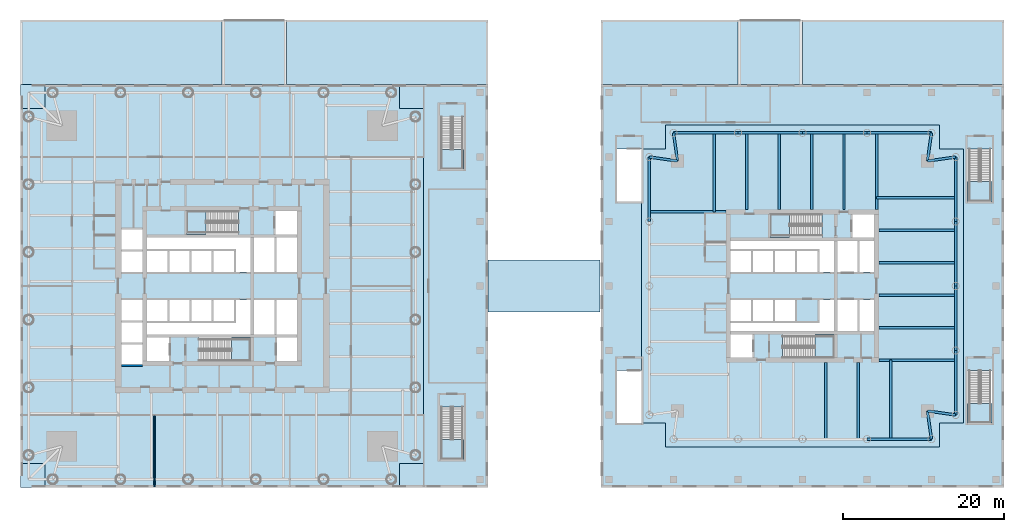
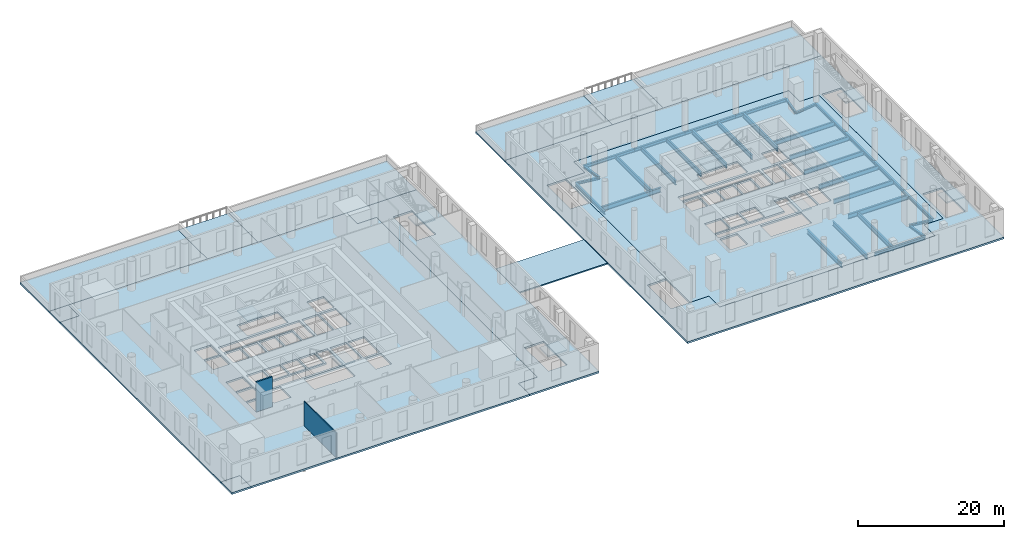
# One storey, part 4 of 16: 32 beams, 21 slabs, 2 walls, 8 elements without a shape of their own.
"""IFC4 building model written with IfcOpenShell, lengths in metres."""

from ifc_helpers import new_model, si_unit, direction, frame, frame_2d, origin, origin_2d, place, context, subcontext, project, spatial, polyline, rectangle, i_section, outline, extrude, material, layer, layer_set, material_profile, profile_set, type_object, element, aggregate, save


model = new_model("IFC4")

# Units and contexts
model_context = context("Model", 3, precision=1e-05, world=origin(), true_north=direction((0.0, 1.0)))
body_context = subcontext(model_context, "Body", "Model", "MODEL_VIEW")
ifc_project = project(units=[si_unit("LENGTHUNIT", "METRE"), si_unit("AREAUNIT", "SQUARE_METRE"), si_unit("VOLUMEUNIT", "CUBIC_METRE"), si_unit("PLANEANGLEUNIT", "RADIAN"), si_unit("MASSUNIT", "GRAM", prefix="KILO")], contexts=[model_context])

# Site, building, storey
site_placement = place(None, origin())
site = spatial("IfcSite", under=ifc_project, at=site_placement, CompositionType="ELEMENT")
building_placement = place(site_placement, origin())
building = spatial("IfcBuilding", under=site, at=building_placement, Name="Ostroluk Exchange", CompositionType="ELEMENT")
storey_placement = place(building_placement, frame((0.0, 0.0, 16.0)))
storey = spatial("IfcBuildingStorey", under=building, at=storey_placement, Name="L03", CompositionType="ELEMENT", Elevation=16.0)

# Beams
ifc_material_1 = material(Name="Steel S355", Category="steel")
ifc_material_profile_1 = material_profile(ifc_material_1, i_section(OverallWidth=0.300048828125, OverallDepth=0.39990234375, WebThickness=0.013427734375, FlangeThickness=0.02392578125, FilletRadius=0.027099609375, at=origin_2d()), Name="HEB 400")
ifc_profile_set_1 = profile_set([ifc_material_profile_1], Name="Steel S355")
beam_type_1 = type_object("IfcBeamType", Name="Corner edge beam HEB 400", PredefinedType="SPANDREL", material=ifc_profile_set_1)
for number, where, z_axis, x_axis, name in (
    (1, (132.5, 61.5, -0.5), (0.989949493661, 0.141421356237, 0.0), (-0.141421356237, 0.989949493661, 0.0), "T2 east corner edge beam a"),
    (2, (132.5, 61.5, -0.5), (0.141421356237, 0.989949493661, 0.0), (-0.989949493661, 0.141421356237, 0.0), "T2 east corner edge beam b"),
    (3, (101.5, 61.5, -0.5), (-0.141421356237, 0.989949493661, 0.0), (-0.989949493661, -0.141421356237, 0.0), "T2 north corner edge beam a"),
    (4, (101.5, 61.5, -0.5), (-0.989949493661, 0.141421356237, 0.0), (-0.141421356237, -0.989949493661, 0.0), "T2 north corner edge beam b"),
    (5, (132.5, 30.5, -0.5), (0.141421356237, -0.989949493661, 0.0), (0.989949493661, 0.141421356237, 0.0), "T2 south corner edge beam a"),
    (6, (132.5, 30.5, -0.5), (0.989949493661, -0.141421356237, 0.0), (0.141421356237, 0.989949493661, 0.0), "T2 south corner edge beam b"),
):
    element("IfcBeam", number, at=place(storey_placement, frame(where, z_axis=z_axis, x_axis=x_axis)), inside=storey, type_object=beam_type_1, Name=name, PredefinedType="SPANDREL", context=body_context, shape_type="SweptSolid", body=[
        extrude(i_section(OverallWidth=0.300048828125, OverallDepth=0.39990234375, WebThickness=0.013427734375, FlangeThickness=0.02392578125, FilletRadius=0.027099609375, at=origin_2d()), origin(), (0.0, 0.0, 1.0), 3.53564453125),
    ])
ifc_material_2 = material(Name="Steel S355", Category="steel")
ifc_material_profile_2 = material_profile(ifc_material_2, i_section(OverallWidth=0.264892578125, OverallDepth=0.7529296875, WebThickness=0.01318359375, FlangeThickness=0.01708984375, FilletRadius=0.01708984375, at=origin_2d()), Name="IPE 750x147")
ifc_profile_set_2 = profile_set([ifc_material_profile_2], Name="Steel S355")
beam_type_2 = type_object("IfcBeamType", Name="Floor beam IPE 750x147", PredefinedType="BEAM", material=ifc_profile_set_2)
for number, where, z_axis, x_axis, name in (
    (7, (126.5, 40.82861328125, -0.676513671875), (1.0, 0.0, 0.0), (0.0, 1.0, 0.0), "T2 east floor beam 1"),
    (8, (126.5, 44.857177734375, -0.676513671875), (1.0, 0.0, 0.0), (0.0, 1.0, 0.0), "T2 east floor beam 2"),
    (9, (126.5, 48.8857421875, -0.676513671875), (1.0, 0.0, 0.0), (0.0, 1.0, 0.0), "T2 east floor beam 3"),
    (10, (126.5, 52.914306640625, -0.676513671875), (1.0, 0.0, 0.0), (0.0, 1.0, 0.0), "T2 east floor beam 4"),
):
    element("IfcBeam", number, at=place(storey_placement, frame(where, z_axis=z_axis, x_axis=x_axis)), inside=storey, type_object=beam_type_2, Name=name, PredefinedType="BEAM", context=body_context, shape_type="SweptSolid", body=[
        extrude(i_section(OverallWidth=0.264892578125, OverallDepth=0.7529296875, WebThickness=0.01318359375, FlangeThickness=0.01708984375, FilletRadius=0.01708984375, at=origin_2d()), origin(), (0.0, 0.0, 1.0), 9.5),
    ])
beam_1_placement = place(storey_placement, frame((126.199951171875, 56.94287109375, -0.676513671875), z_axis=(1.0, 0.0, 0.0), x_axis=(0.0, 1.0, 0.0)))
element("IfcBeam", 11, at=beam_1_placement, inside=storey, type_object=beam_type_2, Name="T2 east floor beam 5", PredefinedType="BEAM", context=body_context, shape_type="SweptSolid", body=[
    extrude(i_section(OverallWidth=0.264892578125, OverallDepth=0.7529296875, WebThickness=0.01318359375, FlangeThickness=0.01708984375, FilletRadius=0.01708984375, at=origin_2d()), origin(), (0.0, 0.0, 1.0), 9.800048828125),
])
for number, where, z_axis, x_axis, name in (
    (12, (122.17138671875, 55.5, -0.676513671875), (0.0, 1.0, 0.0), (-1.0, 0.0, 0.0), "T2 north floor beam 1"),
    (13, (118.142822265625, 55.5, -0.676513671875), (0.0, 1.0, 0.0), (-1.0, 0.0, 0.0), "T2 north floor beam 2"),
    (14, (114.1142578125, 55.5, -0.676513671875), (0.0, 1.0, 0.0), (-1.0, 0.0, 0.0), "T2 north floor beam 3"),
    (15, (110.085693359375, 55.5, -0.676513671875), (0.0, 1.0, 0.0), (-1.0, 0.0, 0.0), "T2 north floor beam 4"),
):
    element("IfcBeam", number, at=place(storey_placement, frame(where, z_axis=z_axis, x_axis=x_axis)), inside=storey, type_object=beam_type_2, Name=name, PredefinedType="BEAM", context=body_context, shape_type="SweptSolid", body=[
        extrude(i_section(OverallWidth=0.264892578125, OverallDepth=0.7529296875, WebThickness=0.01318359375, FlangeThickness=0.01708984375, FilletRadius=0.01708984375, at=origin_2d()), origin(), (0.0, 0.0, 1.0), 9.5),
    ])
beam_2_placement = place(storey_placement, frame((106.05712890625, 55.199951171875, -0.676513671875), z_axis=(0.0, 1.0, 0.0), x_axis=(-1.0, 0.0, 0.0)))
element("IfcBeam", 16, at=beam_2_placement, inside=storey, type_object=beam_type_2, Name="T2 north floor beam 5", PredefinedType="BEAM", context=body_context, shape_type="SweptSolid", body=[
    extrude(i_section(OverallWidth=0.264892578125, OverallDepth=0.7529296875, WebThickness=0.01318359375, FlangeThickness=0.01708984375, FilletRadius=0.01708984375, at=origin_2d()), origin(), (0.0, 0.0, 1.0), 9.800048828125),
])
for number, where, z_axis, x_axis, name in (
    (17, (119.8857421875, 36.5, -0.676513671875), (0.0, -1.0, 0.0), (1.0, 0.0, 0.0), "T2 south floor beam 3"),
    (18, (123.914306640625, 36.5, -0.676513671875), (0.0, -1.0, 0.0), (1.0, 0.0, 0.0), "T2 south floor beam 4"),
):
    element("IfcBeam", number, at=place(storey_placement, frame(where, z_axis=z_axis, x_axis=x_axis)), inside=storey, type_object=beam_type_2, Name=name, PredefinedType="BEAM", context=body_context, shape_type="SweptSolid", body=[
        extrude(i_section(OverallWidth=0.264892578125, OverallDepth=0.7529296875, WebThickness=0.01318359375, FlangeThickness=0.01708984375, FilletRadius=0.01708984375, at=origin_2d()), origin(), (0.0, 0.0, 1.0), 9.5),
    ])
beam_3_placement = place(storey_placement, frame((127.94287109375, 36.800048828125, -0.676513671875), z_axis=(0.0, -1.0, 0.0), x_axis=(1.0, 0.0, 0.0)))
element("IfcBeam", 19, at=beam_3_placement, inside=storey, type_object=beam_type_2, Name="T2 south floor beam 5", PredefinedType="BEAM", context=body_context, shape_type="SweptSolid", body=[
    extrude(i_section(OverallWidth=0.264892578125, OverallDepth=0.7529296875, WebThickness=0.01318359375, FlangeThickness=0.01708984375, FilletRadius=0.01708984375, at=origin_2d()), origin(), (0.0, 0.0, 1.0), 9.800048828125),
])
ifc_material_3 = material(Name="Steel S355", Category="steel")
ifc_material_profile_3 = material_profile(ifc_material_3, i_section(OverallWidth=0.300048828125, OverallDepth=0.800048828125, WebThickness=0.017578125, FlangeThickness=0.032958984375, FilletRadius=0.030029296875, at=origin_2d()), Name="HEB 800")
ifc_profile_set_3 = profile_set([ifc_material_profile_3], Name="Steel S355")
beam_type_3 = type_object("IfcBeamType", Name="Girder HEB 800", PredefinedType="BEAM", material=ifc_profile_set_3)
for number, where, z_axis, x_axis, name in (
    (20, (126.199951171875, 55.5, -0.699951171875), (0.0, 1.0, 0.0), (-1.0, 0.0, 0.0), "T2 east girder"),
    (21, (107.5, 55.199951171875, -0.699951171875), (-1.0, 0.0, 0.0), (0.0, -1.0, 0.0), "T2 north girder"),
    (22, (126.5, 36.800048828125, -0.699951171875), (1.0, 0.0, 0.0), (0.0, 1.0, 0.0), "T2 south girder"),
):
    element("IfcBeam", number, at=place(storey_placement, frame(where, z_axis=z_axis, x_axis=x_axis)), inside=storey, type_object=beam_type_3, Name=name, PredefinedType="BEAM", context=body_context, shape_type="SweptSolid", body=[
        extrude(i_section(OverallWidth=0.300048828125, OverallDepth=0.800048828125, WebThickness=0.017578125, FlangeThickness=0.032958984375, FilletRadius=0.030029296875, at=origin_2d()), origin(), (0.0, 0.0, 1.0), 9.5),
    ])
ifc_material_4 = material(Name="Steel S355", Category="steel")
ifc_material_profile_4 = material_profile(ifc_material_4, i_section(OverallWidth=0.300048828125, OverallDepth=0.550048828125, WebThickness=0.014892578125, FlangeThickness=0.029052734375, FilletRadius=0.027099609375, at=origin_2d()), Name="HEB 550")
ifc_profile_set_4 = profile_set([ifc_material_profile_4], Name="Steel S355")
beam_type_4 = type_object("IfcBeamType", Name="Moment-connected edge beam HEB 550", PredefinedType="SPANDREL", material=ifc_profile_set_4)
for number, where, z_axis, x_axis, name in (
    (23, (136.0, 30.0, -0.574951171875), (0.0, 1.0, 0.0), (-1.0, 0.0, 0.0), "T2 east edge beam 1"),
    (24, (136.0, 38.0, -0.574951171875), (0.0, 1.0, 0.0), (-1.0, 0.0, 0.0), "T2 east edge beam 2"),
    (25, (136.0, 46.0, -0.574951171875), (0.0, 1.0, 0.0), (-1.0, 0.0, 0.0), "T2 east edge beam 3"),
    (26, (136.0, 54.0, -0.574951171875), (0.0, 1.0, 0.0), (-1.0, 0.0, 0.0), "T2 east edge beam 4"),
    (27, (133.0, 65.0, -0.574951171875), (-1.0, 0.0, 0.0), (0.0, -1.0, 0.0), "T2 north edge beam 1"),
    (28, (125.0, 65.0, -0.574951171875), (-1.0, 0.0, 0.0), (0.0, -1.0, 0.0), "T2 north edge beam 2"),
    (29, (117.0, 65.0, -0.574951171875), (-1.0, 0.0, 0.0), (0.0, -1.0, 0.0), "T2 north edge beam 3"),
    (30, (109.0, 65.0, -0.574951171875), (-1.0, 0.0, 0.0), (0.0, -1.0, 0.0), "T2 north edge beam 4"),
    (31, (98.0, 62.0, -0.574951171875), (0.0, -1.0, 0.0), (1.0, 0.0, 0.0), "T2 west edge beam 1"),
    (32, (125.0, 27.0, -0.574951171875), (1.0, 0.0, 0.0), (0.0, 1.0, 0.0), "T2 south edge beam 4"),
):
    element("IfcBeam", number, at=place(storey_placement, frame(where, z_axis=z_axis, x_axis=x_axis)), inside=storey, type_object=beam_type_4, Name=name, PredefinedType="SPANDREL", context=body_context, shape_type="SweptSolid", body=[
        extrude(i_section(OverallWidth=0.300048828125, OverallDepth=0.550048828125, WebThickness=0.014892578125, FlangeThickness=0.029052734375, FilletRadius=0.027099609375, at=origin_2d()), origin(), (0.0, 0.0, 1.0), 8.0),
    ])

# Slabs
ifc_material_5 = material(Name="Concrete C30/37", Category="concrete")
ifc_layer_1 = layer(ifc_material_5, 0.199951171875)
ifc_layer_set_1 = layer_set([ifc_layer_1], Name="Bridge roof slab 200")
slab_type_1 = type_object("IfcSlabType", Name="Bridge roof slab 200", PredefinedType="ROOF", material=ifc_layer_set_1)
slab_1_placement = place(storey_placement, frame((0.0, 0.0, -0.199951171875)))
element("IfcSlab", 33, at=slab_1_placement, inside=storey, type_object=slab_type_1, Name="Podium bridge roof", PredefinedType="ROOF", context=body_context, shape_type="SweptSolid", body=[
    extrude(outline(polyline([(78.0, 42.75), (91.89990234375, 42.75), (91.89990234375, 49.25), (78.0, 49.25), (78.0, 42.75)])), origin(), (0.0, 0.0, 1.0), 0.199951171875),
])
ifc_material_6 = material(Name="Concrete C35/45", Category="concrete")
ifc_layer_2 = layer(ifc_material_6, 0.300048828125)
ifc_layer_set_2 = layer_set([ifc_layer_2], Name="Extensive green roof slab 300")
slab_type_2 = type_object("IfcSlabType", Name="Extensive green roof slab 300", PredefinedType="ROOF", material=ifc_layer_set_2)
slab_2_placement = place(storey_placement, frame((0.0, 0.0, -0.300048828125)))
element("IfcSlab", 34, at=slab_2_placement, inside=storey, type_object=slab_type_2, Name="Green roof slab L03 west", PredefinedType="ROOF", context=body_context, shape_type="SweptSolid", body=[
    extrude(outline(polyline([(20.0, 71.0), (20.0, 79.0), (45.0, 79.0), (45.0, 71.0), (20.0, 71.0)])), origin(), (0.0, 0.0, 1.0), 0.300048828125),
])
slab_3_placement = place(storey_placement, frame((0.0, 0.0, -0.300048828125)))
element("IfcSlab", 35, at=slab_3_placement, inside=storey, type_object=slab_type_2, Name="Green roof slab L03 west", PredefinedType="ROOF", context=body_context, shape_type="SweptSolid", body=[
    extrude(outline(polyline([(78.0, 79.0), (78.0, 71.0), (53.0, 71.0), (53.0, 79.0), (78.0, 79.0)])), origin(), (0.0, 0.0, 1.0), 0.300048828125),
])
slab_4_placement = place(storey_placement, frame((0.0, 0.0, -0.300048828125)))
element("IfcSlab", 36, at=slab_4_placement, inside=storey, type_object=slab_type_2, Name="Green roof slab L03 east", PredefinedType="ROOF", context=body_context, shape_type="SweptSolid", body=[
    extrude(outline(polyline([(109.0, 79.0), (109.0, 71.0), (92.0, 71.0), (92.0, 79.0), (109.0, 79.0)])), origin(), (0.0, 0.0, 1.0), 0.300048828125),
])
slab_5_placement = place(storey_placement, frame((0.0, 0.0, -0.300048828125)))
element("IfcSlab", 37, at=slab_5_placement, inside=storey, type_object=slab_type_2, Name="Green roof slab L03 east", PredefinedType="ROOF", context=body_context, shape_type="SweptSolid", body=[
    extrude(outline(polyline([(142.0, 79.0), (142.0, 71.0), (117.0, 71.0), (117.0, 79.0), (142.0, 79.0)])), origin(), (0.0, 0.0, 1.0), 0.300048828125),
])
ifc_material_7 = material(Name="Concrete C35/45", Category="concrete")
ifc_layer_3 = layer(ifc_material_7, 0.300048828125)
ifc_layer_set_3 = layer_set([ifc_layer_3], Name="Podium flat slab 300")
slab_type_3 = type_object("IfcSlabType", Name="Podium flat slab 300", PredefinedType="FLOOR", material=ifc_layer_set_3)
slab_6_placement = place(storey_placement, frame((0.0, 0.0, -0.300048828125)))
element("IfcSlab", 38, at=slab_6_placement, inside=storey, type_object=slab_type_3, Name="Podium slab L03 west", PredefinedType="FLOOR", context=body_context, shape_type="SweptSolid", body=[
    extrude(outline(polyline([(67.0, 71.0), (78.0, 71.0), (78.0, 21.0), (67.0, 21.0), (67.0, 24.0), (70.0, 24.0), (70.0, 68.0), (67.0, 68.0), (67.0, 71.0)]), holes=[polyline([(72.0, 24.5), (75.0, 24.5), (75.0, 30.989990234375), (72.0, 30.989990234375), (72.0, 24.5)]), polyline([(72.0, 66.989990234375), (72.0, 60.5), (75.0, 60.5), (75.0, 66.989990234375), (72.0, 66.989990234375)])]), origin(), (0.0, 0.0, 1.0), 0.300048828125),
])
slab_7_placement = place(storey_placement, frame((0.0, 0.0, -0.300048828125)))
element("IfcSlab", 39, at=slab_7_placement, inside=storey, type_object=slab_type_3, Name="Podium slab L03 west", PredefinedType="FLOOR", context=body_context, shape_type="SweptSolid", body=[
    extrude(outline(polyline([(23.0, 68.0), (20.0, 68.0), (20.0, 71.0), (23.0, 71.0), (23.0, 68.0)])), origin(), (0.0, 0.0, 1.0), 0.300048828125),
])
slab_8_placement = place(storey_placement, frame((0.0, 0.0, -0.300048828125)))
element("IfcSlab", 40, at=slab_8_placement, inside=storey, type_object=slab_type_3, Name="Podium slab L03 west", PredefinedType="FLOOR", context=body_context, shape_type="SweptSolid", body=[
    extrude(outline(polyline([(20.0, 21.0), (20.0, 24.0), (23.0, 24.0), (23.0, 21.0), (20.0, 21.0)])), origin(), (0.0, 0.0, 1.0), 0.300048828125),
])
slab_9_placement = place(storey_placement, frame((0.0, 0.0, -0.300048828125)))
element("IfcSlab", 41, at=slab_9_placement, inside=storey, type_object=slab_type_3, Name="Podium slab L03 east", PredefinedType="FLOOR", context=body_context, shape_type="SweptSolid", body=[
    extrude(outline(polyline([(92.0, 21.0), (92.0, 71.0), (142.0, 71.0), (142.0, 21.0), (92.0, 21.0)]), holes=[polyline([(100.0, 63.0), (97.0, 63.0), (97.0, 62.989990234375), (94.0, 62.989990234375), (94.0, 56.5), (97.0, 56.5), (97.0, 35.489990234375), (94.0, 35.489990234375), (94.0, 29.0), (100.0, 29.0), (100.0, 26.0), (134.0, 26.0), (134.0, 29.0), (137.0, 29.0), (137.0, 63.0), (134.0, 63.0), (134.0, 66.0), (100.0, 66.0), (100.0, 63.0)]), polyline([(137.5, 29.0), (140.5, 29.0), (140.5, 35.489990234375), (137.5, 35.489990234375), (137.5, 29.0)]), polyline([(137.5, 62.989990234375), (137.5, 56.5), (140.5, 56.5), (140.5, 62.989990234375), (137.5, 62.989990234375)])]), origin(), (0.0, 0.0, 1.0), 0.300048828125),
])
ifc_material_8 = material(Name="Concrete C35/45", Category="concrete")
ifc_layer_4 = layer(ifc_material_8, 0.300048828125)
ifc_layer_set_4 = layer_set([ifc_layer_4], Name="Podium terrace slab 300")
slab_type_4 = type_object("IfcSlabType", Name="Podium terrace slab 300", PredefinedType="ROOF", material=ifc_layer_set_4)
slab_10_placement = place(storey_placement, frame((0.0, 0.0, -0.300048828125)))
element("IfcSlab", 42, at=slab_10_placement, inside=storey, type_object=slab_type_4, Name="Terrace slab L03 west", PredefinedType="ROOF", context=body_context, shape_type="SweptSolid", body=[
    extrude(outline(polyline([(53.0, 79.0), (53.0, 71.0), (45.0, 71.0), (45.0, 79.0), (53.0, 79.0)])), origin(), (0.0, 0.0, 1.0), 0.300048828125),
])
slab_11_placement = place(storey_placement, frame((0.0, 0.0, -0.300048828125)))
element("IfcSlab", 43, at=slab_11_placement, inside=storey, type_object=slab_type_4, Name="Terrace slab L03 east", PredefinedType="ROOF", context=body_context, shape_type="SweptSolid", body=[
    extrude(outline(polyline([(117.0, 79.0), (117.0, 71.0), (109.0, 71.0), (109.0, 79.0), (117.0, 79.0)])), origin(), (0.0, 0.0, 1.0), 0.300048828125),
])

# Stair, slab
ifc_material_9 = material(Name="Concrete C30/37", Category="concrete")
stair_type = type_object("IfcStairType", Name="Exit stair half turn 5000", PredefinedType="HALF_TURN_STAIR", material=ifc_material_9)
stair_1_placement = place(storey_placement, origin())
stair_1 = element("IfcStair", 44, at=stair_1_placement, inside=storey, type_object=stair_type, Name="Stair T1-S1 L03", PredefinedType="HALF_TURN_STAIR")
ifc_material_10 = material(Name="Concrete C30/37", Category="concrete")
ifc_layer_5 = layer(ifc_material_10, 0.199951171875)
ifc_layer_set_5 = layer_set([ifc_layer_5], Name="Stair landing 200")
slab_type_5 = type_object("IfcSlabType", Name="Stair landing 200", PredefinedType="LANDING", material=ifc_layer_set_5)
slab_12_placement = place(storey_placement, frame((0.0, 0.0, 2.300048828125)))
slab_12 = element("IfcSlab", 45, at=slab_12_placement, type_object=slab_type_5, Name="T1-S1 landing 1", PredefinedType="LANDING", context=body_context, shape_type="SweptSolid", body=[
    extrude(outline(polyline([(46.159912109375, 36.699951171875), (46.159912109375, 39.60009765625), (48.530029296875, 39.60009765625), (48.530029296875, 36.699951171875), (46.159912109375, 36.699951171875)])), origin(), (0.0, 0.0, 1.0), 0.199951171875),
])
aggregate(stair_1, [slab_12])

stair_2_placement = place(storey_placement, origin())
stair_2 = element("IfcStair", 46, at=stair_2_placement, inside=storey, type_object=stair_type, Name="Stair T1-S2 L03", PredefinedType="HALF_TURN_STAIR")
slab_13_placement = place(storey_placement, frame((0.0, 0.0, 2.300048828125)))
slab_13 = element("IfcSlab", 47, at=slab_13_placement, type_object=slab_type_5, Name="T1-S2 landing 1", PredefinedType="LANDING", context=body_context, shape_type="SweptSolid", body=[
    extrude(outline(polyline([(42.969970703125, 52.39990234375), (42.969970703125, 55.300048828125), (40.60009765625, 55.300048828125), (40.60009765625, 52.39990234375), (42.969970703125, 52.39990234375)])), origin(), (0.0, 0.0, 1.0), 0.199951171875),
])
aggregate(stair_2, [slab_13])

stair_3_placement = place(storey_placement, origin())
stair_3 = element("IfcStair", 48, at=stair_3_placement, inside=storey, type_object=stair_type, Name="Stair T2-S1 L03", PredefinedType="HALF_TURN_STAIR")
slab_14_placement = place(storey_placement, frame((0.0, 0.0, 2.300048828125)))
slab_14 = element("IfcSlab", 49, at=slab_14_placement, type_object=slab_type_5, Name="T2-S1 landing 1", PredefinedType="LANDING", context=body_context, shape_type="SweptSolid", body=[
    extrude(outline(polyline([(118.56005859375, 37.10009765625), (118.56005859375, 40.0), (120.929931640625, 40.0), (120.929931640625, 37.10009765625), (118.56005859375, 37.10009765625)])), origin(), (0.0, 0.0, 1.0), 0.199951171875),
])
aggregate(stair_3, [slab_14])

stair_4_placement = place(storey_placement, origin())
stair_4 = element("IfcStair", 50, at=stair_4_placement, inside=storey, type_object=stair_type, Name="Stair T2-S2 L03", PredefinedType="HALF_TURN_STAIR")
slab_15_placement = place(storey_placement, frame((0.0, 0.0, 2.300048828125)))
slab_15 = element("IfcSlab", 51, at=slab_15_placement, type_object=slab_type_5, Name="T2-S2 landing 1", PredefinedType="LANDING", context=body_context, shape_type="SweptSolid", body=[
    extrude(outline(polyline([(115.3701171875, 52.0), (115.3701171875, 54.89990234375), (113.0, 54.89990234375), (113.0, 52.0), (115.3701171875, 52.0)])), origin(), (0.0, 0.0, 1.0), 0.199951171875),
])
aggregate(stair_4, [slab_15])

stair_5_placement = place(storey_placement, origin())
stair_5 = element("IfcStair", 52, at=stair_5_placement, inside=storey, type_object=stair_type, Name="Stair PS3 L03", PredefinedType="HALF_TURN_STAIR")
slab_16_placement = place(storey_placement, frame((0.0, 0.0, 2.300048828125)))
slab_16 = element("IfcSlab", 53, at=slab_16_placement, type_object=slab_type_5, Name="PS3 landing 1", PredefinedType="LANDING", context=body_context, shape_type="SweptSolid", body=[
    extrude(outline(polyline([(72.0, 26.93994140625), (75.0, 26.93994140625), (75.0, 24.5), (72.0, 24.5), (72.0, 26.93994140625)])), origin(), (0.0, 0.0, 1.0), 0.199951171875),
])
aggregate(stair_5, [slab_16])

stair_6_placement = place(storey_placement, origin())
stair_6 = element("IfcStair", 54, at=stair_6_placement, inside=storey, type_object=stair_type, Name="Stair PS4 L03", PredefinedType="HALF_TURN_STAIR")
slab_17_placement = place(storey_placement, frame((0.0, 0.0, 2.300048828125)))
slab_17 = element("IfcSlab", 55, at=slab_17_placement, type_object=slab_type_5, Name="PS4 landing 1", PredefinedType="LANDING", context=body_context, shape_type="SweptSolid", body=[
    extrude(outline(polyline([(72.0, 62.93994140625), (75.0, 62.93994140625), (75.0, 60.5), (72.0, 60.5), (72.0, 62.93994140625)])), origin(), (0.0, 0.0, 1.0), 0.199951171875),
])
aggregate(stair_6, [slab_17])

stair_7_placement = place(storey_placement, origin())
stair_7 = element("IfcStair", 56, at=stair_7_placement, inside=storey, type_object=stair_type, Name="Stair PS7 L03", PredefinedType="HALF_TURN_STAIR")
slab_18_placement = place(storey_placement, frame((0.0, 0.0, 2.300048828125)))
slab_18 = element("IfcSlab", 57, at=slab_18_placement, type_object=slab_type_5, Name="PS7 landing 1", PredefinedType="LANDING", context=body_context, shape_type="SweptSolid", body=[
    extrude(outline(polyline([(137.5, 31.43994140625), (140.5, 31.43994140625), (140.5, 29.0), (137.5, 29.0), (137.5, 31.43994140625)])), origin(), (0.0, 0.0, 1.0), 0.199951171875),
])
aggregate(stair_7, [slab_18])

stair_8_placement = place(storey_placement, origin())
stair_8 = element("IfcStair", 58, at=stair_8_placement, inside=storey, type_object=stair_type, Name="Stair PS8 L03", PredefinedType="HALF_TURN_STAIR")
slab_19_placement = place(storey_placement, frame((0.0, 0.0, 2.300048828125)))
slab_19 = element("IfcSlab", 59, at=slab_19_placement, type_object=slab_type_5, Name="PS8 landing 1", PredefinedType="LANDING", context=body_context, shape_type="SweptSolid", body=[
    extrude(outline(polyline([(137.5, 58.93994140625), (140.5, 58.93994140625), (140.5, 56.5), (137.5, 56.5), (137.5, 58.93994140625)])), origin(), (0.0, 0.0, 1.0), 0.199951171875),
])
aggregate(stair_8, [slab_19])

# Slabs
ifc_material_11 = material(Name="Concrete C35/45", Category="concrete")
ifc_layer_6 = layer(ifc_material_11, 0.300048828125)
ifc_layer_set_6 = layer_set([ifc_layer_6], Name="Tower floor slab 300")
slab_type_6 = type_object("IfcSlabType", Name="Tower floor slab 300", PredefinedType="FLOOR", material=ifc_layer_set_6)
slab_20_placement = place(storey_placement, frame((0.0, 0.0, -0.300048828125)))
element("IfcSlab", 60, at=slab_20_placement, inside=storey, type_object=slab_type_6, Name="Office tower floor slab L03", PredefinedType="FLOOR", context=body_context, shape_type="SweptSolid", body=[
    extrude(outline(polyline([(23.0, 21.0), (67.0, 21.0), (67.0, 24.0), (70.0, 24.0), (70.0, 68.0), (67.0, 68.0), (67.0, 71.0), (23.0, 71.0), (23.0, 68.0), (20.0, 68.0), (20.0, 24.0), (23.0, 24.0), (23.0, 21.0)]), holes=[polyline([(35.699951171875, 36.699951171875), (38.39990234375, 36.699951171875), (38.39990234375, 39.60009765625), (35.699951171875, 39.60009765625), (35.699951171875, 36.699951171875)]), polyline([(42.110107421875, 36.699951171875), (48.530029296875, 36.699951171875), (48.530029296875, 39.60009765625), (42.110107421875, 39.60009765625), (42.110107421875, 36.699951171875)]), polyline([(51.800048828125, 36.699951171875), (54.300048828125, 36.699951171875), (54.300048828125, 39.60009765625), (51.800048828125, 39.60009765625), (51.800048828125, 36.699951171875)]), polyline([(40.60009765625, 52.39990234375), (47.02001953125, 52.39990234375), (47.02001953125, 55.300048828125), (40.60009765625, 55.300048828125), (40.60009765625, 52.39990234375)]), polyline([(51.60009765625, 52.39990234375), (54.300048828125, 52.39990234375), (54.300048828125, 55.300048828125), (51.60009765625, 55.300048828125), (51.60009765625, 52.39990234375)]), polyline([(35.699951171875, 47.75), (38.199951171875, 47.75), (38.199951171875, 50.35009765625), (35.699951171875, 50.35009765625), (35.699951171875, 47.75)]), polyline([(38.449951171875, 47.75), (40.949951171875, 47.75), (40.949951171875, 50.35009765625), (38.449951171875, 50.35009765625), (38.449951171875, 47.75)]), polyline([(41.199951171875, 47.75), (43.699951171875, 47.75), (43.699951171875, 50.35009765625), (41.199951171875, 50.35009765625), (41.199951171875, 47.75)]), polyline([(43.949951171875, 47.75), (46.449951171875, 47.75), (46.449951171875, 50.35009765625), (43.949951171875, 50.35009765625), (43.949951171875, 47.75)]), polyline([(35.699951171875, 41.64990234375), (38.199951171875, 41.64990234375), (38.199951171875, 44.25), (35.699951171875, 44.25), (35.699951171875, 41.64990234375)]), polyline([(38.449951171875, 41.64990234375), (40.949951171875, 41.64990234375), (40.949951171875, 44.25), (38.449951171875, 44.25), (38.449951171875, 41.64990234375)]), polyline([(41.199951171875, 41.64990234375), (43.699951171875, 41.64990234375), (43.699951171875, 44.25), (41.199951171875, 44.25), (41.199951171875, 41.64990234375)]), polyline([(43.949951171875, 41.64990234375), (46.449951171875, 41.64990234375), (46.449951171875, 44.25), (43.949951171875, 44.25), (43.949951171875, 41.64990234375)]), polyline([(48.929931640625, 47.75), (51.489990234375, 47.75), (51.489990234375, 52.0), (48.929931640625, 52.0), (48.929931640625, 47.75)]), polyline([(51.739990234375, 47.75), (54.300048828125, 47.75), (54.300048828125, 52.0), (51.739990234375, 52.0), (51.739990234375, 47.75)]), polyline([(48.929931640625, 40.0), (51.489990234375, 40.0), (51.489990234375, 44.25), (48.929931640625, 44.25), (48.929931640625, 40.0)]), polyline([(51.739990234375, 40.0), (54.300048828125, 40.0), (54.300048828125, 44.25), (51.739990234375, 44.25), (51.739990234375, 40.0)]), polyline([(48.530029296875, 52.0), (48.530029296875, 47.75), (46.699951171875, 47.75), (46.699951171875, 50.60009765625), (35.699951171875, 50.60009765625), (35.699951171875, 52.0), (48.530029296875, 52.0)]), polyline([(35.699951171875, 40.0), (35.699951171875, 41.39990234375), (46.699951171875, 41.39990234375), (46.699951171875, 44.25), (48.530029296875, 44.25), (48.530029296875, 40.0), (35.699951171875, 40.0)]), polyline([(32.5, 36.25), (35.10009765625, 36.25), (35.10009765625, 38.75), (32.5, 38.75), (32.5, 36.25)]), polyline([(32.5, 39.0), (35.10009765625, 39.0), (35.10009765625, 41.5), (32.5, 41.5), (32.5, 39.0)]), polyline([(32.5, 41.75), (35.10009765625, 41.75), (35.10009765625, 44.25), (32.5, 44.25), (32.5, 41.75)]), polyline([(32.5, 47.75), (35.10009765625, 47.75), (35.10009765625, 50.25), (32.5, 50.25), (32.5, 47.75)]), polyline([(32.5, 50.5), (35.10009765625, 50.5), (35.10009765625, 53.0), (32.5, 53.0), (32.5, 50.5)])]), origin(), (0.0, 0.0, 1.0), 0.300048828125),
])
slab_21_placement = place(storey_placement, frame((0.0, 0.0, -0.300048828125)))
element("IfcSlab", 61, at=slab_21_placement, inside=storey, type_object=slab_type_6, Name="Hotel tower floor slab L03", PredefinedType="FLOOR", context=body_context, shape_type="SweptSolid", body=[
    extrude(outline(polyline([(100.0, 26.0), (134.0, 26.0), (134.0, 29.0), (137.0, 29.0), (137.0, 63.0), (134.0, 63.0), (134.0, 66.0), (100.0, 66.0), (100.0, 63.0), (97.0, 63.0), (97.0, 29.0), (100.0, 29.0), (100.0, 26.0)]), holes=[polyline([(108.10009765625, 37.10009765625), (110.800048828125, 37.10009765625), (110.800048828125, 40.0), (108.10009765625, 40.0), (108.10009765625, 37.10009765625)]), polyline([(114.510009765625, 37.10009765625), (120.929931640625, 37.10009765625), (120.929931640625, 40.0), (114.510009765625, 40.0), (114.510009765625, 37.10009765625)]), polyline([(113.0, 52.0), (119.419921875, 52.0), (119.419921875, 54.89990234375), (113.0, 54.89990234375), (113.0, 52.0)]), polyline([(123.199951171875, 52.0), (125.89990234375, 52.0), (125.89990234375, 54.89990234375), (123.199951171875, 54.89990234375), (123.199951171875, 52.0)]), polyline([(108.10009765625, 47.75), (110.60009765625, 47.75), (110.60009765625, 50.35009765625), (108.10009765625, 50.35009765625), (108.10009765625, 47.75)]), polyline([(110.85009765625, 47.75), (113.35009765625, 47.75), (113.35009765625, 50.35009765625), (110.85009765625, 50.35009765625), (110.85009765625, 47.75)]), polyline([(113.60009765625, 47.75), (116.10009765625, 47.75), (116.10009765625, 50.35009765625), (113.60009765625, 50.35009765625), (113.60009765625, 47.75)]), polyline([(116.35009765625, 47.75), (118.85009765625, 47.75), (118.85009765625, 50.35009765625), (116.35009765625, 50.35009765625), (116.35009765625, 47.75)]), polyline([(108.10009765625, 41.64990234375), (110.60009765625, 41.64990234375), (110.60009765625, 44.25), (108.10009765625, 44.25), (108.10009765625, 41.64990234375)]), polyline([(110.85009765625, 41.64990234375), (113.35009765625, 41.64990234375), (113.35009765625, 44.25), (110.85009765625, 44.25), (110.85009765625, 41.64990234375)]), polyline([(113.60009765625, 41.64990234375), (116.10009765625, 41.64990234375), (116.10009765625, 44.25), (113.60009765625, 44.25), (113.60009765625, 41.64990234375)]), polyline([(121.330078125, 47.75), (123.830078125, 47.75), (123.830078125, 51.60009765625), (121.330078125, 51.60009765625), (121.330078125, 47.75)]), polyline([(121.330078125, 40.39990234375), (123.830078125, 40.39990234375), (123.830078125, 44.25), (121.330078125, 44.25), (121.330078125, 40.39990234375)]), polyline([(120.929931640625, 51.60009765625), (120.929931640625, 47.75), (119.10009765625, 47.75), (119.10009765625, 50.60009765625), (108.10009765625, 50.60009765625), (108.10009765625, 51.60009765625), (120.929931640625, 51.60009765625)]), polyline([(108.10009765625, 40.39990234375), (108.10009765625, 41.39990234375), (119.10009765625, 41.39990234375), (119.10009765625, 44.25), (120.929931640625, 44.25), (120.929931640625, 40.39990234375), (108.10009765625, 40.39990234375)]), polyline([(124.080078125, 47.75), (125.89990234375, 47.75), (125.89990234375, 51.60009765625), (124.080078125, 51.60009765625), (124.080078125, 47.75)]), polyline([(124.080078125, 40.39990234375), (125.89990234375, 40.39990234375), (125.89990234375, 44.25), (124.080078125, 44.25), (124.080078125, 40.39990234375)])]), origin(), (0.0, 0.0, 1.0), 0.300048828125),
])

# Walls
ifc_material_12 = material(Name="Concrete C40/50", Category="concrete")
ifc_layer_7 = layer(ifc_material_12, 0.25)
ifc_layer_set_7 = layer_set([ifc_layer_7], Name="Core shaft wall 250")
wall_type_1 = type_object("IfcWallType", Name="Core shaft wall 250", PredefinedType="SHEAR", material=ifc_layer_set_7)
wall_1_placement = place(storey_placement, frame((32.5, 36.125, 0.0), z_axis=(0.0, 0.0, 1.0), x_axis=(1.0, 0.0, 0.0)))
element("IfcWall", 62, at=wall_1_placement, inside=storey, type_object=wall_type_1, Name="Lift shaft wall", PredefinedType="SHEAR", context=body_context, shape_type="SweptSolid", body=[
    extrude(rectangle(XDim=2.60009765625, YDim=0.25, at=frame_2d((1.300048828125, 0.0))), origin(), (0.0, 0.0, 1.0), 5.0),
])
ifc_material_13 = material(Name="Gypsum plasterboard partition", Category="gypsum")
ifc_layer_8 = layer(ifc_material_13, 0.14990234375)
ifc_layer_set_8 = layer_set([ifc_layer_8], Name="Plasterboard partition 150")
wall_type_2 = type_object("IfcWallType", Name="Plasterboard partition 150", PredefinedType="PARTITIONING", material=ifc_layer_set_8)
wall_2_placement = place(storey_placement, frame((36.60009765625, 21.074951171875, 0.0), z_axis=(0.0, 0.0, 1.0), x_axis=(0.0, 1.0, 0.0)))
element("IfcWall", 63, at=wall_2_placement, inside=storey, type_object=wall_type_2, Name="Partition", PredefinedType="PARTITIONING", context=body_context, shape_type="SweptSolid", body=[
    extrude(rectangle(XDim=8.85009765625, YDim=0.14990234375, at=frame_2d((4.425048828125, 0.0))), origin(), (0.0, 0.0, 1.0), 4.10009765625),
])

save(model, "model.ifc")
